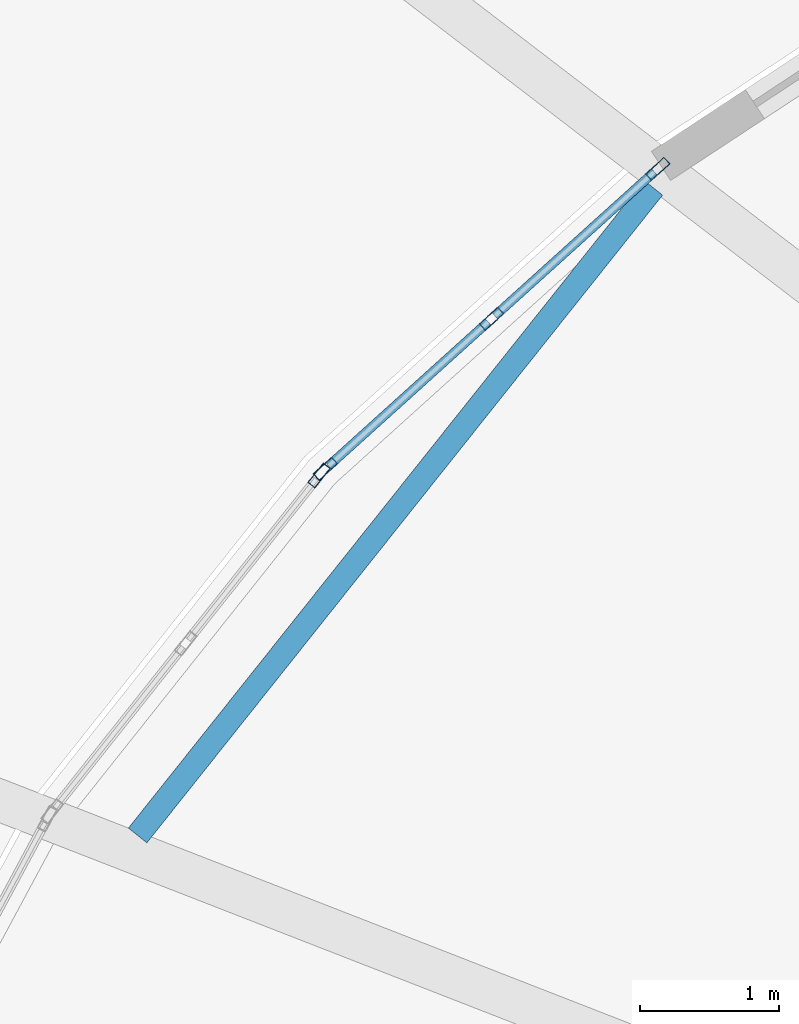
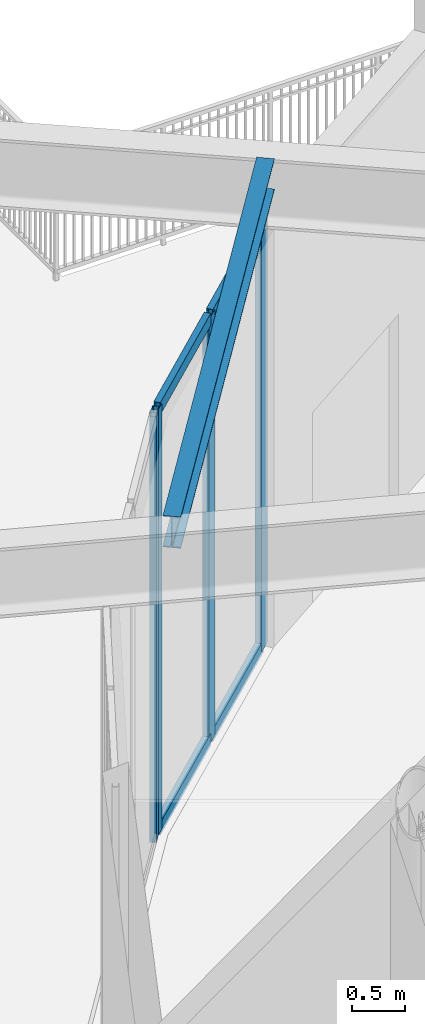
# One storey, part 21 of 46: 8 members, 1 beam, 2 elements without a shape of their own.
"""IFC4 building model written with IfcOpenShell, lengths in metres."""

import ifcopenshell
import ifcopenshell.guid

model = None  # the IFC model being written
_history = None  # IfcOwnerHistory: only IFC2X3 demands one
_inside = {}  # id of a spatial element -> (the spatial element, [elements in it])
_under = {}  # id of a project, library or spatial element -> (it, [spatial elements below it])
_declared = {}  # id of a project -> (the project, [libraries it declares])
_typed = {}  # id of a type object -> (the type object, [elements of that type])
_made_of = {}  # id of a material, layer set ... -> (it, [elements and type objects made of it])


def new_model(schema):
    """Start an empty IFC model of exactly this schema.

    Asked for "IFC4X3", IfcOpenShell would pick the latest addendum, in which some entities
    have other attributes; the version numbers below select the first issue.
    IFC2X3 requires an IfcOwnerHistory on every rooted entity: one is made here for all.
    """
    global model, _history
    if schema == "IFC4X3":
        model = ifcopenshell.file(schema_version=(4, 3, 0, 0))
    else:
        model = ifcopenshell.file(schema=schema)
    _inside.clear()
    _under.clear()
    _declared.clear()
    _typed.clear()
    _made_of.clear()
    _history = None
    if model.schema == "IFC2X3":
        org = make("IfcOrganization", Name="unknown")
        user = make(
            "IfcPersonAndOrganization",
            ThePerson=make("IfcPerson", FamilyName="unknown"),
            TheOrganization=org,
        )
        app = make(
            "IfcApplication",
            ApplicationDeveloper=org,
            Version="unknown",
            ApplicationFullName="unknown",
            ApplicationIdentifier="unknown",
        )
        _history = make(
            "IfcOwnerHistory",
            OwningUser=user,
            OwningApplication=app,
            ChangeAction="ADDED",
            CreationDate=0,
        )
    return model


def make(cls, **values):
    """One entity of the class cls with the attributes given. An attribute that is None is left unset."""
    return model.create_entity(
        cls, **{name: value for name, value in values.items() if value is not None}
    )


def rooted(cls, **values):
    """An entity with a GlobalId (a new one), such as an element, a storey or a relation."""
    return make(cls, GlobalId=ifcopenshell.guid.new(), OwnerHistory=_history, **values)


def si_unit(unit_type, name, prefix=None):
    """IfcSIUnit, for example si_unit("LENGTHUNIT", "METRE", prefix="MILLI")."""
    return make("IfcSIUnit", UnitType=unit_type, Prefix=prefix, Name=name)


def assignment(units):
    """IfcUnitAssignment: the units of a project."""
    return None if units is None else make("IfcUnitAssignment", Units=units)


def point(xyz):
    """IfcCartesianPoint."""
    return None if xyz is None else make("IfcCartesianPoint", Coordinates=xyz)


def direction(xyz):
    """IfcDirection."""
    return None if xyz is None else make("IfcDirection", DirectionRatios=xyz)


def frame(location, z_axis=None, x_axis=None):
    """IfcAxis2Placement3D, a coordinate frame: its origin and axes. An axis left out is left unset."""
    return make(
        "IfcAxis2Placement3D",
        Location=point(location),
        Axis=direction(z_axis),
        RefDirection=direction(x_axis),
    )


def frame_2d(location, x_axis=None):
    """IfcAxis2Placement2D, a coordinate frame in the plane: its origin and x axis."""
    return make(
        "IfcAxis2Placement2D", Location=point(location), RefDirection=direction(x_axis)
    )


def origin():
    """The frame at (0, 0, 0) with its axes left unset."""
    return frame((0.0, 0.0, 0.0))


def origin_2d():
    """The frame at (0, 0) in the plane with its x axis left unset."""
    return frame_2d((0.0, 0.0))


def place(relative_to, where):
    """IfcLocalPlacement: puts the frame where relative to a parent placement (None: the world)."""
    return make(
        "IfcLocalPlacement", PlacementRelTo=relative_to, RelativePlacement=where
    )


def context(
    kind, dimensions, precision=None, world=None, true_north=None, identifier=None
):
    """IfcGeometricRepresentationContext, for example the 3D "Model" context."""
    return make(
        "IfcGeometricRepresentationContext",
        ContextIdentifier=identifier,
        ContextType=kind,
        CoordinateSpaceDimension=dimensions,
        Precision=precision,
        WorldCoordinateSystem=world,
        TrueNorth=true_north,
    )


def subcontext(parent, identifier, kind, view, scale=None):
    """IfcGeometricRepresentationSubContext, for example "Body" below "Model"."""
    return make(
        "IfcGeometricRepresentationSubContext",
        ContextIdentifier=identifier,
        ContextType=kind,
        ParentContext=parent,
        TargetScale=scale,
        TargetView=view,
    )


def project(units=None, contexts=None):
    """IfcProject with its units and contexts."""
    return rooted(
        "IfcProject",
        Name="project",
        RepresentationContexts=contexts,
        UnitsInContext=assignment(units),
    )


def spatial(cls, under=None, at=None, **own):
    """A site, building, storey or space (cls), placed at a placement, below another one or the project."""
    s = rooted(cls, ObjectPlacement=at, **own)
    if under is not None:
        _under.setdefault(under.id(), (under, []))[1].append(s)
    return s


def profile(cls, at=None, kind="AREA", **sizes):
    """A parametric profile (cls). Its sizes go by their IFC names, for example OverallWidth=200.0."""
    return make(cls, ProfileType=kind, Position=at, **sizes)


def hollow_rectangle(**sizes):
    """IfcRectangleHollowProfileDef."""
    return profile("IfcRectangleHollowProfileDef", **sizes)


def i_section(**sizes):
    """IfcIShapeProfileDef."""
    return profile("IfcIShapeProfileDef", **sizes)


def extrude(swept, where, along, depth):
    """IfcExtrudedAreaSolid: the profile swept, set in the frame where, extruded along a direction by depth."""
    return make(
        "IfcExtrudedAreaSolid",
        SweptArea=swept,
        Position=where,
        ExtrudedDirection=direction(along),
        Depth=depth,
    )


def shape(context_of_items, identifier, shape_type, items):
    """IfcShapeRepresentation: the items that make up one representation, for example the "Body"."""
    return make(
        "IfcShapeRepresentation",
        ContextOfItems=context_of_items,
        RepresentationIdentifier=identifier,
        RepresentationType=shape_type,
        Items=items,
    )


def source(mapping_origin, context_of_items, identifier, shape_type, items):
    """IfcRepresentationMap: a shape defined once, which mapped items show again and again."""
    return make(
        "IfcRepresentationMap",
        MappingOrigin=mapping_origin,
        MappedRepresentation=shape(context_of_items, identifier, shape_type, items),
    )


def transform(
    local_origin,
    x_axis=None,
    y_axis=None,
    z_axis=None,
    scale=None,
    scale2=None,
    scale3=None,
    uniform=True,
):
    """IfcCartesianTransformationOperator3D, or its non-uniform kind. x_axis, y_axis, z_axis: its Axis1, 2, 3."""
    if uniform:
        return make(
            "IfcCartesianTransformationOperator3D",
            Axis1=direction(x_axis),
            Axis2=direction(y_axis),
            LocalOrigin=point(local_origin),
            Scale=scale,
            Axis3=direction(z_axis),
        )
    return make(
        "IfcCartesianTransformationOperator3DnonUniform",
        Axis1=direction(x_axis),
        Axis2=direction(y_axis),
        LocalOrigin=point(local_origin),
        Scale=scale,
        Axis3=direction(z_axis),
        Scale2=scale2,
        Scale3=scale3,
    )


def mapped(mapping_source, mapping_target):
    """IfcMappedItem: shows the shape of a source again, moved by a transform."""
    return make(
        "IfcMappedItem", MappingSource=mapping_source, MappingTarget=mapping_target
    )


def material(Name=None, Category=None):
    """IfcMaterial."""
    return make("IfcMaterial", Name=Name, Category=Category)


def layer(
    of_material, thickness, ventilated=None, Name=None, Category=None, Priority=None
):
    """IfcMaterialLayer: one layer of a wall or slab, of a material (None: an air gap)."""
    return make(
        "IfcMaterialLayer",
        Material=of_material,
        LayerThickness=thickness,
        IsVentilated=ventilated,
        Name=Name,
        Category=Category,
        Priority=Priority,
    )


def layer_set(layers, Name=None):
    """IfcMaterialLayerSet."""
    return make("IfcMaterialLayerSet", MaterialLayers=layers, LayerSetName=Name)


def material_profile(
    of_material, cross_section, Name=None, Category=None, Priority=None
):
    """IfcMaterialProfile: a cross section and its material."""
    return make(
        "IfcMaterialProfile",
        Name=Name,
        Material=of_material,
        Profile=cross_section,
        Priority=Priority,
        Category=Category,
    )


def profile_set(profiles, Name=None, composite=None):
    """IfcMaterialProfileSet."""
    return make(
        "IfcMaterialProfileSet",
        Name=Name,
        MaterialProfiles=profiles,
        CompositeProfile=composite,
    )


def made_of(thing, what):
    """Note that an element or type object is made of a material, layer set ...; save() writes the relation."""
    if what is not None:
        _made_of.setdefault(what.id(), (what, []))[1].append(thing)
    return thing


def type_object(cls, material=None, **own):
    """A type object (cls), such as IfcWallType, which elements share."""
    return made_of(rooted(cls, **own), material)


def element(
    cls,
    number,
    at=None,
    inside=None,
    cuts=None,
    type_object=None,
    material=None,
    context=None,
    identifier="Body",
    shape_type=None,
    held_by="IfcProductDefinitionShape",
    body=None,
    shapes=None,
    **own,
):
    """One element of the class cls, such as IfcWall. Its Tag is "e" and its number.

    at: its placement. inside: the storey or other place that contains it. cuts: it is an
    opening in that element (IfcRelVoidsElement). A single representation is given by context,
    identifier, shape_type and body (its items); several are given by shapes. held_by: the class
    of the entity that holds the representations. save() writes the other relations.
    """
    e = rooted(cls, Tag="e%d" % number, ObjectPlacement=at, **own)
    if body is not None:
        shapes = [shape(context, identifier, shape_type, body)]
    if shapes is not None:
        e.Representation = make(held_by, Representations=shapes)
    if inside is not None:
        _inside.setdefault(inside.id(), (inside, []))[1].append(e)
    if cuts is not None:
        rooted(
            "IfcRelVoidsElement", RelatingBuildingElement=cuts, RelatedOpeningElement=e
        )
    if type_object is not None:
        _typed.setdefault(type_object.id(), (type_object, []))[1].append(e)
    return made_of(e, material)


def aggregate(whole, parts):
    """IfcRelAggregates: a whole, such as a stair, and the parts it consists of."""
    return rooted("IfcRelAggregates", RelatingObject=whole, RelatedObjects=parts)


def save(model, path):
    """Write the relations noted so far, then the file.

    IfcRelAggregates (storeys below a building ...), IfcRelContainedInSpatialStructure (elements
    in a storey), IfcRelDefinesByType, IfcRelAssociatesMaterial and IfcRelDeclares: one each for
    every whole, place, type object, material and project.
    """
    for whole, parts in _under.values():
        aggregate(whole, parts)
    for where, things in _inside.values():
        rooted(
            "IfcRelContainedInSpatialStructure",
            RelatedElements=things,
            RelatingStructure=where,
        )
    for kind, things in _typed.values():
        rooted("IfcRelDefinesByType", RelatedObjects=things, RelatingType=kind)
    for what, things in _made_of.values():
        rooted("IfcRelAssociatesMaterial", RelatedObjects=things, RelatingMaterial=what)
    for by, libraries in _declared.values():
        rooted("IfcRelDeclares", RelatingContext=by, RelatedDefinitions=libraries)
    model.write(path)


model = new_model("IFC4")

# Units and contexts
model_context = context("Model", 3, precision=1e-05, world=origin(), true_north=direction((0.0, 1.0)))
body_context = subcontext(model_context, "Body", "Model", "MODEL_VIEW")
ifc_project = project(units=[si_unit("LENGTHUNIT", "METRE"), si_unit("AREAUNIT", "SQUARE_METRE"), si_unit("VOLUMEUNIT", "CUBIC_METRE"), si_unit("PLANEANGLEUNIT", "RADIAN"), si_unit("MASSUNIT", "GRAM", prefix="KILO")], contexts=[model_context])

# Site, building, storey
site_placement = place(None, origin())
site = spatial("IfcSite", under=ifc_project, at=site_placement, CompositionType="ELEMENT")
building_placement = place(site_placement, origin())
building = spatial("IfcBuilding", under=site, at=building_placement, Name="Linh Dai School and Residence Tower", CompositionType="ELEMENT")
storey_placement = place(building_placement, origin())
storey = spatial("IfcBuildingStorey", under=building, at=storey_placement, Name="L00", CompositionType="ELEMENT", Elevation=0.0)

# Beam
ifc_material_1 = material(Name="Structural Steel S355JR", Category="steel")
ifc_material_profile_1 = material_profile(ifc_material_1, i_section(OverallWidth=0.169921875, OverallDepth=0.360107421875, WebThickness=0.008056640625, FlangeThickness=0.0126953125, FilletRadius=0.01806640625, at=origin_2d()), Name="IPE 360")
ifc_profile_set_1 = profile_set([ifc_material_profile_1], Name="Structural Steel S355JR")
beam_type = type_object("IfcBeamType", Name="BM-SB36", PredefinedType="BEAM", material=ifc_profile_set_1)
beam_placement = place(storey_placement, frame((19.05078125, 39.82568359375, 5.52001953125), z_axis=(-0.622928179858, -0.782279031254, 0.0), x_axis=(0.782279031254, -0.622928179858, 0.0)))
element("IfcBeam", 1, at=beam_placement, inside=storey, type_object=beam_type, Name="L00 Secondary Circumferential Floor Beam 04", PredefinedType="BEAM", context=body_context, shape_type="SweptSolid", body=[
    extrude(i_section(OverallWidth=0.169921875, OverallDepth=0.360107421875, WebThickness=0.008056640625, FlangeThickness=0.0126953125, FilletRadius=0.01806640625, at=origin_2d()), origin(), (0.0, 0.0, 1.0), 5.936767578125),
])

# Curtain wall, members
ifc_material_2 = material(Name="Aluminium Anodised Curtain Wall", Category="aluminium")
ifc_layer = layer(ifc_material_2, 0.179931640625)
ifc_layer_set = layer_set([ifc_layer], Name="Aluminium Anodised Curtain Wall")
curtain_wall_type = type_object("IfcCurtainWallType", Name="CW-SYS-1", PredefinedType="USERDEFINED", material=ifc_layer_set)
curtain_wall_1_placement = place(storey_placement, origin())
curtain_wall_1 = element("IfcCurtainWall", 2, at=curtain_wall_1_placement, inside=storey, type_object=curtain_wall_type, Name="L00 CW1 Curtain Wall 16", ObjectType="UNITISED CURTAIN WALL", PredefinedType="USERDEFINED")
ifc_material_3 = material(Name="Aluminium Alloy 6063-T6", Category="aluminium")
ifc_material_profile_2 = material_profile(ifc_material_3, hollow_rectangle(XDim=0.06494140625, YDim=0.179931640625, WallThickness=0.00390625, at=origin_2d()), Name="RHS 180x65x4")
ifc_profile_set_2 = profile_set([ifc_material_profile_2], Name="Aluminium Alloy 6063-T6")
member_type_1 = type_object("IfcMemberType", Name="CW-SYS-1-MUL", PredefinedType="MULLION", material=ifc_profile_set_2)
shared_shape_1 = source(origin(), body_context, "Body", "SweptSolid", [
    extrude(hollow_rectangle(XDim=0.06494140625, YDim=0.179931640625, WallThickness=0.00390625, at=origin_2d()), origin(), (0.0, 0.0, 1.0), 4.885009765625),
])
member_1_placement = place(storey_placement, frame((16.69873046875, 37.81005859375, 0.0), z_axis=(0.0, 0.0, 1.0), x_axis=(-0.669994689825, 0.742365890654, 0.0)))
member_1 = element("IfcMember", 3, at=member_1_placement, type_object=member_type_1, Name="CW1 mullion 1", PredefinedType="MULLION", context=body_context, shape_type="MappedRepresentation", body=[
    mapped(shared_shape_1, transform((0.0, 0.0, 0.0), x_axis=(1.0, 0.0, 0.0), y_axis=(0.0, 1.0, 0.0), z_axis=(0.0, 0.0, 1.0), scale=1.0)),
])
member_2_placement = place(storey_placement, frame((17.89013671875, 38.885498046875, 0.0), z_axis=(0.0, 0.0, 1.0), x_axis=(-0.669994689825, 0.742365890654, 0.0)))
member_2 = element("IfcMember", 4, at=member_2_placement, type_object=member_type_1, Name="CW1 mullion 2", PredefinedType="MULLION", context=body_context, shape_type="MappedRepresentation", body=[
    mapped(shared_shape_1, transform((0.0, 0.0, 0.0), x_axis=(1.0, 0.0, 0.0), y_axis=(0.0, 1.0, 0.0), z_axis=(0.0, 0.0, 1.0), scale=1.0)),
])
member_3_placement = place(storey_placement, frame((19.08154296875, 39.960693359375, 0.0), z_axis=(0.0, 0.0, 1.0), x_axis=(-0.669994689825, 0.742365890654, 0.0)))
member_3 = element("IfcMember", 5, at=member_3_placement, type_object=member_type_1, Name="CW1 mullion 3", PredefinedType="MULLION", context=body_context, shape_type="MappedRepresentation", body=[
    mapped(shared_shape_1, transform((0.0, 0.0, 0.0), x_axis=(1.0, 0.0, 0.0), y_axis=(0.0, 1.0, 0.0), z_axis=(0.0, 0.0, 1.0), scale=1.0)),
])

# Curtain wall, member
curtain_wall_2_placement = place(storey_placement, origin())
curtain_wall_2 = element("IfcCurtainWall", 6, at=curtain_wall_2_placement, inside=storey, type_object=curtain_wall_type, Name="L00 CW1 Curtain Wall 17", ObjectType="UNITISED CURTAIN WALL", PredefinedType="USERDEFINED")
member_4_placement = place(storey_placement, frame((16.654296875, 37.762939453125, 0.0), z_axis=(0.0, 0.0, 1.0), x_axis=(-0.782771274016, 0.622309515093, 0.0)))
member_4 = element("IfcMember", 7, at=member_4_placement, type_object=member_type_1, Name="CW1 mullion 3", PredefinedType="MULLION", context=body_context, shape_type="MappedRepresentation", body=[
    mapped(shared_shape_1, transform((0.0, 0.0, 0.0), x_axis=(1.0, 0.0, 0.0), y_axis=(0.0, 1.0, 0.0), z_axis=(0.0, 0.0, 1.0), scale=1.0)),
])
aggregate(curtain_wall_2, [member_4])

# Member
ifc_material_profile_3 = material_profile(ifc_material_3, hollow_rectangle(XDim=0.06494140625, YDim=0.139892578125, WallThickness=0.00390625, at=origin_2d()), Name="RHS 140x65x4")
ifc_profile_set_3 = profile_set([ifc_material_profile_3], Name="Aluminium Alloy 6063-T6")
member_type_2 = type_object("IfcMemberType", Name="CW-SYS-1-TRN", PredefinedType="USERDEFINED", material=ifc_profile_set_3)
shared_shape_2 = source(origin(), body_context, "Body", "SweptSolid", [
    extrude(hollow_rectangle(XDim=0.06494140625, YDim=0.139892578125, WallThickness=0.00390625, at=origin_2d()), origin(), (0.0, 0.0, 1.0), 1.539794921875),
])
member_5_placement = place(storey_placement, frame((16.722900390625, 37.831787109375, 0.032470703125), z_axis=(0.742331565787, 0.670032720422, 0.0), x_axis=(-0.670032720422, 0.742331565787, 0.0)))
member_5 = element("IfcMember", 8, at=member_5_placement, type_object=member_type_2, Name="CW1 transom 1.1", ObjectType="TRANSOM", PredefinedType="USERDEFINED", context=body_context, shape_type="MappedRepresentation", body=[
    mapped(shared_shape_2, transform((0.0, 0.0, 0.0), x_axis=(1.0, 0.0, 0.0), y_axis=(0.0, 1.0, 0.0), z_axis=(0.0, 0.0, 1.0), scale=1.0)),
])

member_6_placement = place(storey_placement, frame((16.722900390625, 37.831787109375, 4.8525390625), z_axis=(0.742331565787, 0.670032720422, 0.0), x_axis=(-0.670032720422, 0.742331565787, 0.0)))
member_6 = element("IfcMember", 9, at=member_6_placement, type_object=member_type_2, Name="CW1 transom 1.2", ObjectType="TRANSOM", PredefinedType="USERDEFINED", context=body_context, shape_type="MappedRepresentation", body=[
    mapped(shared_shape_2, transform((0.0, 0.0, 0.0), x_axis=(1.0, 0.0, 0.0), y_axis=(0.0, 1.0, 0.0), z_axis=(0.0, 0.0, 1.0), scale=1.0)),
])

shared_shape_3 = source(origin(), body_context, "Body", "SweptSolid", [
    extrude(hollow_rectangle(XDim=0.06494140625, YDim=0.139892578125, WallThickness=0.00390625, at=origin_2d()), origin(), (0.0, 0.0, 1.0), 1.5400390625),
])
member_7_placement = place(storey_placement, frame((17.914306640625, 38.9072265625, 0.032470703125), z_axis=(0.742402733314, 0.669953865254, 0.0), x_axis=(-0.669953865254, 0.742402733314, 0.0)))
member_7 = element("IfcMember", 10, at=member_7_placement, type_object=member_type_2, Name="CW1 transom 2.1", ObjectType="TRANSOM", PredefinedType="USERDEFINED", context=body_context, shape_type="MappedRepresentation", body=[
    mapped(shared_shape_3, transform((0.0, 0.0, 0.0), x_axis=(1.0, 0.0, 0.0), y_axis=(0.0, 1.0, 0.0), z_axis=(0.0, 0.0, 1.0), scale=1.0)),
])

member_8_placement = place(storey_placement, frame((17.914306640625, 38.9072265625, 4.8525390625), z_axis=(0.742402733314, 0.669953865254, 0.0), x_axis=(-0.669953865254, 0.742402733314, 0.0)))
member_8 = element("IfcMember", 11, at=member_8_placement, type_object=member_type_2, Name="CW1 transom 2.2", ObjectType="TRANSOM", PredefinedType="USERDEFINED", context=body_context, shape_type="MappedRepresentation", body=[
    mapped(shared_shape_3, transform((0.0, 0.0, 0.0), x_axis=(1.0, 0.0, 0.0), y_axis=(0.0, 1.0, 0.0), z_axis=(0.0, 0.0, 1.0), scale=1.0)),
])

aggregate(curtain_wall_1, [member_1, member_2, member_3, member_5, member_6, member_7, member_8])

save(model, "model.ifc")
